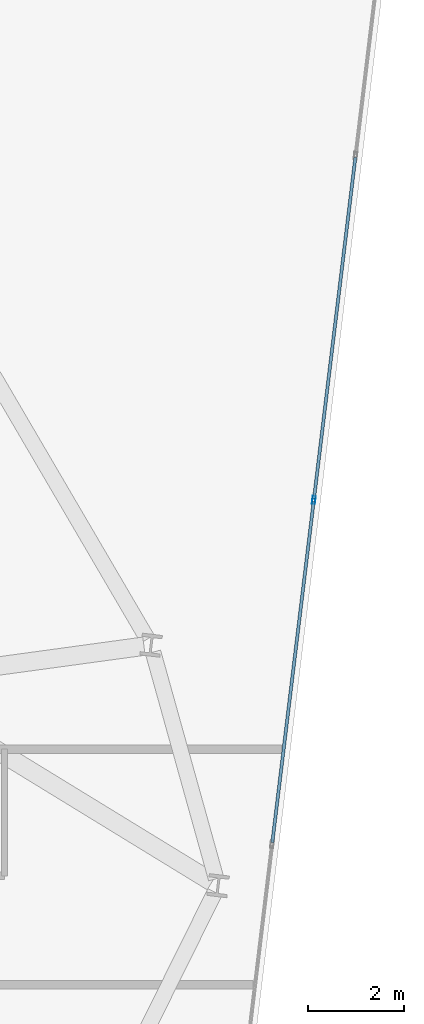
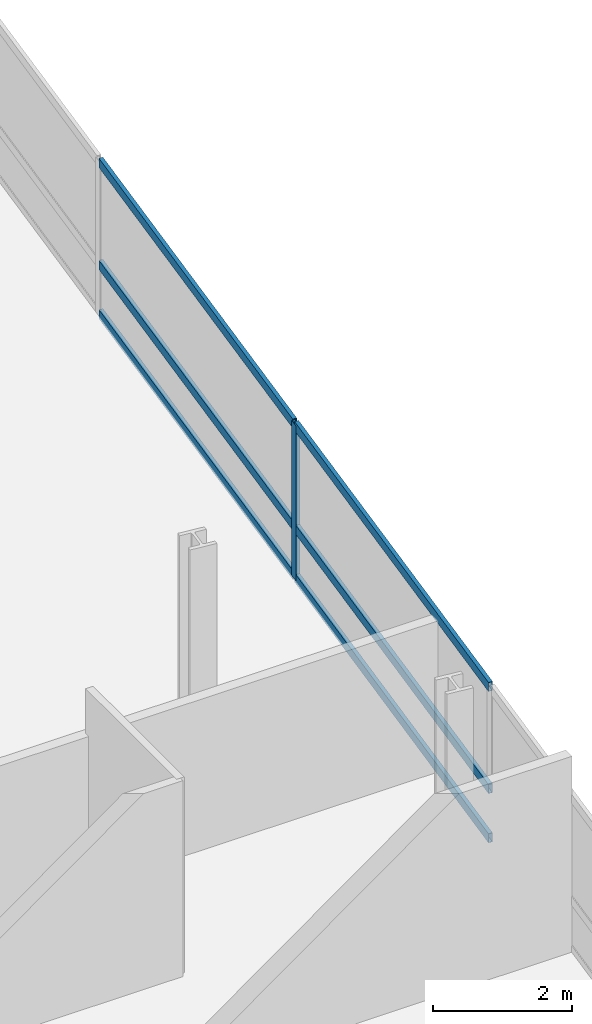
# One storey, part 16 of 25: 7 members, 1 element without a shape of its own.
"""IFC4 building model written with IfcOpenShell, lengths in metres."""

from ifc_helpers import new_model, si_unit, direction, frame, origin, origin_2d, place, context, subcontext, project, spatial, hollow_rectangle, extrude, material, layer, layer_set, material_profile, profile_set, type_object, element, aggregate, save


model = new_model("IFC4")

# Units and contexts
model_context = context("Model", 3, precision=1e-05, world=origin(), true_north=direction((0.0, 1.0)))
body_context = subcontext(model_context, "Body", "Model", "MODEL_VIEW")
ifc_project = project(units=[si_unit("LENGTHUNIT", "METRE"), si_unit("AREAUNIT", "SQUARE_METRE"), si_unit("VOLUMEUNIT", "CUBIC_METRE"), si_unit("PLANEANGLEUNIT", "RADIAN"), si_unit("MASSUNIT", "GRAM", prefix="KILO")], contexts=[model_context])

# Site, building, storey
site_placement = place(None, origin())
site = spatial("IfcSite", under=ifc_project, at=site_placement, CompositionType="ELEMENT")
building_placement = place(site_placement, origin())
building = spatial("IfcBuilding", under=site, at=building_placement, Name="Varnelok Gate Tower", CompositionType="ELEMENT")
storey_placement = place(building_placement, frame((0.0, 0.0, 136.5)))
storey = spatial("IfcBuildingStorey", under=building, at=storey_placement, Name="L34", CompositionType="ELEMENT", Elevation=136.5)

# Curtain wall, members
ifc_material = material(Name="Anodized Aluminum Alloy 6063-T6", Category="aluminium")
ifc_layer = layer(ifc_material, 0.179931640625)
ifc_layer_set = layer_set([ifc_layer], Name="Anodized Aluminum Alloy 6063-T6")
curtain_wall_type = type_object("IfcCurtainWallType", Name="CW3-HOTEL-VISION", PredefinedType="USERDEFINED", material=ifc_layer_set)
curtain_wall_placement = place(storey_placement, origin())
curtain_wall = element("IfcCurtainWall", 1, at=curtain_wall_placement, inside=storey, type_object=curtain_wall_type, Name="L34 East End Vision Curtain Wall", ObjectType="UNITISED CURTAIN WALL", PredefinedType="USERDEFINED")
ifc_material_profile_1 = material_profile(ifc_material, hollow_rectangle(XDim=0.06494140625, YDim=0.159912109375, WallThickness=0.00390625, at=origin_2d()), Name="ALU160X65X4")
ifc_profile_set_1 = profile_set([ifc_material_profile_1], Name="Anodized Aluminum Alloy 6063-T6")
member_type_1 = type_object("IfcMemberType", Name="CW-MULL-160", PredefinedType="MULLION", material=ifc_profile_set_1)
member_1_placement = place(storey_placement, frame((76.423828125, 24.413818359375, 0.0), z_axis=(0.0, 0.0, 1.0), x_axis=(0.99273188146, -0.120347046212, 0.0)))
member_1 = element("IfcMember", 2, at=member_1_placement, type_object=member_type_1, Name="CW3 mullion 3", PredefinedType="MULLION", context=body_context, shape_type="SweptSolid", body=[
    extrude(hollow_rectangle(XDim=0.06494140625, YDim=0.159912109375, WallThickness=0.00390625, at=origin_2d()), origin(), (0.0, 0.0, 1.0), 2.72998046875),
])
ifc_material_profile_2 = material_profile(ifc_material, hollow_rectangle(XDim=0.06494140625, YDim=0.159912109375, WallThickness=0.00390625, at=origin_2d()), Name="ALU160X65X4")
ifc_profile_set_2 = profile_set([ifc_material_profile_2], Name="Anodized Aluminum Alloy 6063-T6")
member_type_2 = type_object("IfcMemberType", Name="CW-TRAN-160", PredefinedType="USERDEFINED", material=ifc_profile_set_2)
member_2_placement = place(storey_placement, frame((77.286376953125, 31.529296875, 0.032470703125), z_axis=(-0.120340564253, -0.992732667235, 0.0), x_axis=(0.992732667235, -0.120340564253, 0.0)))
member_2 = element("IfcMember", 3, at=member_2_placement, type_object=member_type_2, Name="CW3 transom 2.1", ObjectType="TRANSOM", PredefinedType="USERDEFINED", context=body_context, shape_type="SweptSolid", body=[
    extrude(hollow_rectangle(XDim=0.06494140625, YDim=0.159912109375, WallThickness=0.00390625, at=origin_2d()), origin(), (0.0, 0.0, 1.0), 7.135009765625),
])
member_3_placement = place(storey_placement, frame((77.286376953125, 31.529296875, 0.89990234375), z_axis=(-0.120340564253, -0.992732667235, 0.0), x_axis=(0.992732667235, -0.120340564253, 0.0)))
member_3 = element("IfcMember", 4, at=member_3_placement, type_object=member_type_2, Name="CW3 transom 2.2", ObjectType="TRANSOM", PredefinedType="USERDEFINED", context=body_context, shape_type="SweptSolid", body=[
    extrude(hollow_rectangle(XDim=0.06494140625, YDim=0.159912109375, WallThickness=0.00390625, at=origin_2d()), origin(), (0.0, 0.0, 1.0), 7.135009765625),
])
member_4_placement = place(storey_placement, frame((77.286376953125, 31.529296875, 2.697509765625), z_axis=(-0.120340564253, -0.992732667235, 0.0), x_axis=(0.992732667235, -0.120340564253, 0.0)))
member_4 = element("IfcMember", 5, at=member_4_placement, type_object=member_type_2, Name="CW3 transom 2.3", ObjectType="TRANSOM", PredefinedType="USERDEFINED", context=body_context, shape_type="SweptSolid", body=[
    extrude(hollow_rectangle(XDim=0.06494140625, YDim=0.159912109375, WallThickness=0.00390625, at=origin_2d()), origin(), (0.0, 0.0, 1.0), 7.135009765625),
])
member_5_placement = place(storey_placement, frame((76.419921875, 24.381591796875, 0.032470703125), z_axis=(-0.120340564253, -0.992732667235, 0.0), x_axis=(0.992732667235, -0.120340564253, 0.0)))
member_5 = element("IfcMember", 6, at=member_5_placement, type_object=member_type_2, Name="CW3 transom 3.1", ObjectType="TRANSOM", PredefinedType="USERDEFINED", context=body_context, shape_type="SweptSolid", body=[
    extrude(hollow_rectangle(XDim=0.06494140625, YDim=0.159912109375, WallThickness=0.00390625, at=origin_2d()), origin(), (0.0, 0.0, 1.0), 7.135009765625),
])
member_6_placement = place(storey_placement, frame((76.419921875, 24.381591796875, 0.89990234375), z_axis=(-0.120340564253, -0.992732667235, 0.0), x_axis=(0.992732667235, -0.120340564253, 0.0)))
member_6 = element("IfcMember", 7, at=member_6_placement, type_object=member_type_2, Name="CW3 transom 3.2", ObjectType="TRANSOM", PredefinedType="USERDEFINED", context=body_context, shape_type="SweptSolid", body=[
    extrude(hollow_rectangle(XDim=0.06494140625, YDim=0.159912109375, WallThickness=0.00390625, at=origin_2d()), origin(), (0.0, 0.0, 1.0), 7.135009765625),
])
member_7_placement = place(storey_placement, frame((76.419921875, 24.381591796875, 2.697509765625), z_axis=(-0.120340564253, -0.992732667235, 0.0), x_axis=(0.992732667235, -0.120340564253, 0.0)))
member_7 = element("IfcMember", 8, at=member_7_placement, type_object=member_type_2, Name="CW3 transom 3.3", ObjectType="TRANSOM", PredefinedType="USERDEFINED", context=body_context, shape_type="SweptSolid", body=[
    extrude(hollow_rectangle(XDim=0.06494140625, YDim=0.159912109375, WallThickness=0.00390625, at=origin_2d()), origin(), (0.0, 0.0, 1.0), 7.135009765625),
])
aggregate(curtain_wall, [member_1, member_2, member_3, member_4, member_5, member_6, member_7])

save(model, "model.ifc")
